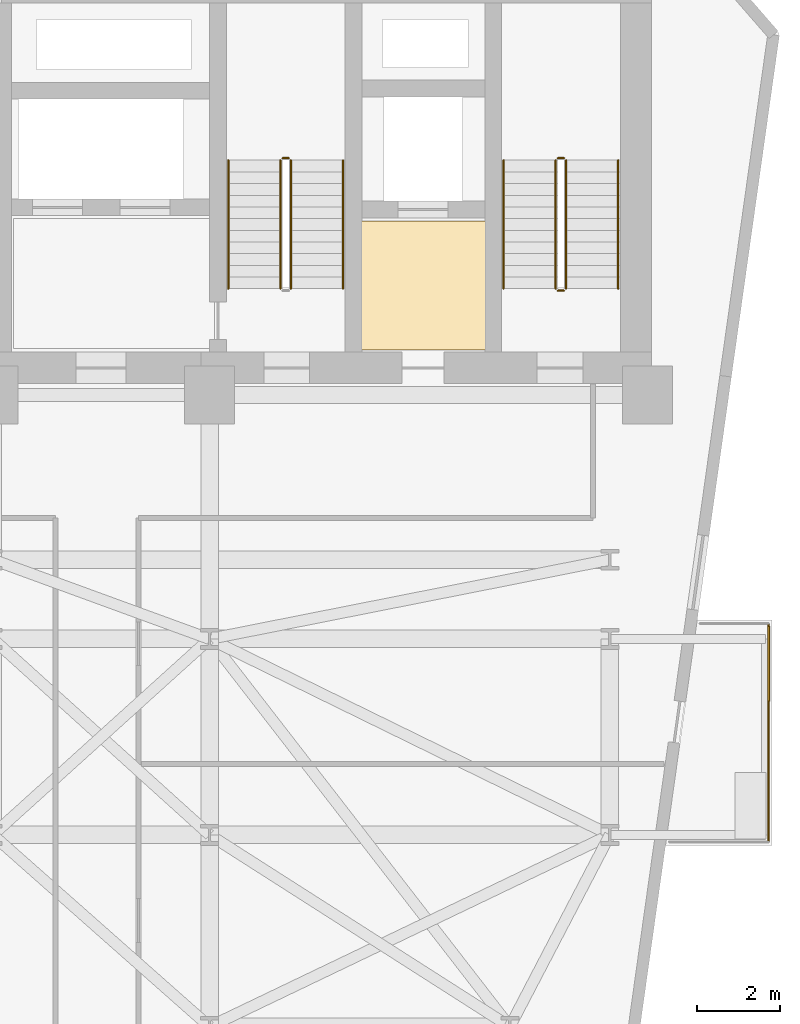
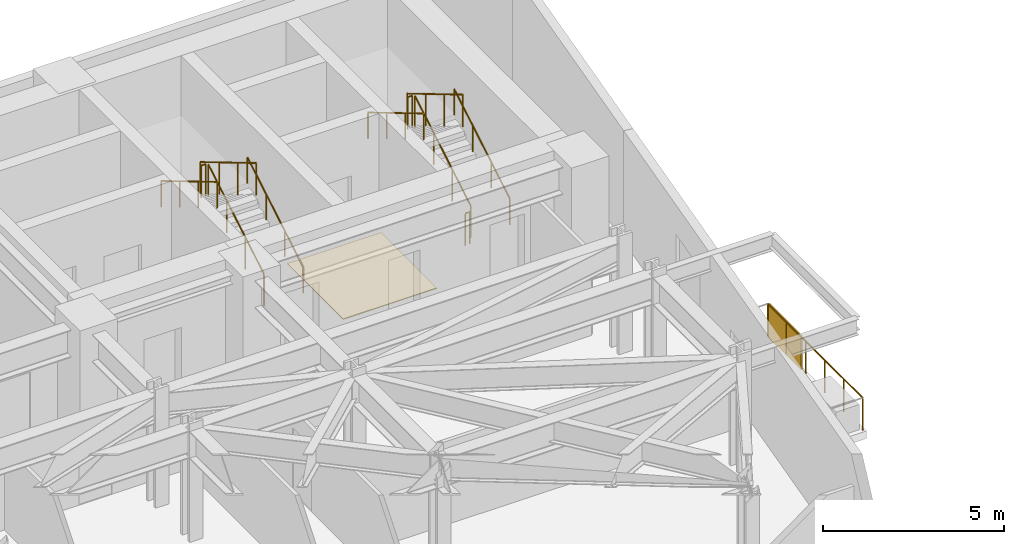
# One storey, part 24 of 24: 12 railings, 1 covering, 1 shading device.
"""IFC4 building model written with IfcOpenShell, lengths in metres."""

from ifc_helpers import new_model, si_unit, direction, frame, origin, origin_2d, place, context, subcontext, project, spatial, polyline, rectangle, circle, outline, extrude, material, layer, layer_set, type_object, element, save


model = new_model("IFC4")

# Units and contexts
model_context = context("Model", 3, precision=1e-05, world=origin(), true_north=direction((0.0, 1.0)))
body_context = subcontext(model_context, "Body", "Model", "MODEL_VIEW")
ifc_project = project(units=[si_unit("LENGTHUNIT", "METRE"), si_unit("AREAUNIT", "SQUARE_METRE"), si_unit("VOLUMEUNIT", "CUBIC_METRE"), si_unit("PLANEANGLEUNIT", "RADIAN"), si_unit("MASSUNIT", "GRAM", prefix="KILO")], contexts=[model_context])

# Site, building, storey
site_placement = place(None, origin())
site = spatial("IfcSite", under=ifc_project, at=site_placement, CompositionType="ELEMENT")
building_placement = place(site_placement, origin())
building = spatial("IfcBuilding", under=site, at=building_placement, Name="Kravanh Interchange Tower", CompositionType="ELEMENT")
storey_placement = place(building_placement, frame((0.0, 0.0, 69.5)))
storey = spatial("IfcBuildingStorey", under=building, at=storey_placement, Name="L16", CompositionType="ELEMENT", Elevation=69.5)

# Covering
ifc_material_1 = material(Name="Cementitious Terrazzo Tile")
ifc_layer_1 = layer(ifc_material_1, 0.030029296875)
ifc_layer_set_1 = layer_set([ifc_layer_1], Name="Honed Terrazzo Lobby Flooring 30mm")
covering_type = type_object("IfcCoveringType", Name="Honed Terrazzo Lobby Flooring 30mm", PredefinedType="FLOORING", material=ifc_layer_set_1)
covering_placement = place(storey_placement, origin())
element("IfcCovering", 1, at=covering_placement, inside=storey, type_object=covering_type, Name="L16 Service Lift Lobby Floor Finish", PredefinedType="FLOORING", context=body_context, shape_type="SweptSolid", body=[
    extrude(outline(polyline([(59.6298828125, 41.52001953125), (62.6201171875, 41.52001953125), (62.6201171875, 38.429931640625), (59.6298828125, 38.429931640625), (59.6298828125, 41.52001953125)])), origin(), (0.0, 0.0, 1.0), 0.030029296875),
])

# Shading device
ifc_material_2 = material(Name="Perforated Anodised Bronze Aluminium", Category="aluminium")
ifc_layer_2 = layer(ifc_material_2, 0.0400390625)
ifc_layer_set_2 = layer_set([ifc_layer_2], Name="Perforated Bronze Balcony Privacy Screen 1150mm")
shading_device_type = type_object("IfcShadingDeviceType", Name="Perforated Bronze Balcony Privacy Screen 1150mm", PredefinedType="USERDEFINED", material=ifc_layer_set_2)
shading_device_placement = place(storey_placement, frame((69.409912109375, 30.89990234375, 0.0), z_axis=(0.0, 0.0, 1.0), x_axis=(1.0, 0.0, 0.0)))
element("IfcShadingDevice", 2, at=shading_device_placement, inside=storey, type_object=shading_device_type, Name="L16 E Perforated Bronze BALCONY SCREEN", ObjectType="SCREEN", PredefinedType="USERDEFINED", context=body_context, shape_type="SweptSolid", body=[
    extrude(rectangle(XDim=0.0400390625, YDim=1.800048828125, at=origin_2d()), origin(), (0.0, 0.0, 1.0), 1.14990234375),
])

# Railings
ifc_material_3 = material(Name="Stainless Steel 316", Category="steel")
ifc_layer_3 = layer(ifc_material_3, 0.06005859375)
ifc_layer_set_3 = layer_set([ifc_layer_3], Name="Perimeter Balcony and Terrace Guardrail Stainless 316 1120mm")
railing_type_1 = type_object("IfcRailingType", Name="Perimeter Balcony and Terrace Guardrail Stainless 316 1120mm", PredefinedType="GUARDRAIL", material=ifc_layer_set_3)
railing_1_placement = place(storey_placement, frame((69.409912109375, 31.8701171875, 0.0)))
element("IfcRailing", 3, at=railing_1_placement, inside=storey, type_object=railing_type_1, Name="L16 E Balcony Guardrail 1", PredefinedType="GUARDRAIL", context=body_context, shape_type="SweptSolid", body=[
    extrude(circle(Radius=0.02392578125, at=origin_2d()), frame((0.0, 0.0, 1.09619140625), z_axis=(0.0, -1.0, 0.0), x_axis=(1.0, 0.0, 0.0)), (0.0, 0.0, 1.0), 5.240234375),
    extrude(circle(Radius=0.02099609375, at=origin_2d()), origin(), (0.0, 0.0, 1.0), 1.072021484375),
    extrude(circle(Radius=0.02099609375, at=origin_2d()), frame((0.0, -1.048095703125, 0.0)), (0.0, 0.0, 1.0), 1.072021484375),
    extrude(circle(Radius=0.02099609375, at=origin_2d()), frame((0.0, -2.09619140625, 0.0)), (0.0, 0.0, 1.0), 1.072021484375),
    extrude(circle(Radius=0.02099609375, at=origin_2d()), frame((0.0, -3.14404296875, 0.0)), (0.0, 0.0, 1.0), 1.072021484375),
    extrude(circle(Radius=0.02099609375, at=origin_2d()), frame((0.0, -4.192138671875, 0.0)), (0.0, 0.0, 1.0), 1.072021484375),
    extrude(circle(Radius=0.02099609375, at=origin_2d()), frame((0.0, -5.240234375, 0.0)), (0.0, 0.0, 1.0), 1.072021484375),
])
ifc_material_4 = material(Name="Structural Steel S355", Category="steel")
ifc_layer_4 = layer(ifc_material_4, 0.050048828125)
ifc_layer_set_4 = layer_set([ifc_layer_4], Name="Stair Well Guardrail Structural Steel S355 1100mm")
railing_type_2 = type_object("IfcRailingType", Name="Stair Well Guardrail Structural Steel S355 1100mm", PredefinedType="GUARDRAIL", material=ifc_layer_set_4)
railing_2_placement = place(storey_placement, frame((64.550048828125, 39.89990234375, 0.166748046875)))
element("IfcRailing", 4, at=railing_2_placement, inside=storey, type_object=railing_type_2, Name="L16 ST1 stair guard 1", PredefinedType="GUARDRAIL", context=body_context, shape_type="SweptSolid", body=[
    extrude(circle(Radius=0.02392578125, at=origin_2d()), frame((0.0, 0.0, 1.076171875), z_axis=(0.0, 0.859308565015, 0.511457515432), x_axis=(-1.0, 0.0, 0.0)), (0.0, 0.0, 1.0), 3.58447265625),
    extrude(circle(Radius=0.02099609375, at=origin_2d()), origin(), (0.0, 0.0, 1.0), 1.052001953125),
    extrude(circle(Radius=0.02099609375, at=origin_2d()), frame((0.0, 1.026611328125, 0.611083984375)), (0.0, 0.0, 1.0), 1.052001953125),
    extrude(circle(Radius=0.02099609375, at=origin_2d()), frame((0.0, 2.053466796875, 1.22216796875)), (0.0, 0.0, 1.0), 1.052001953125),
    extrude(circle(Radius=0.02099609375, at=origin_2d()), frame((0.0, 3.080078125, 1.833251953125)), (0.0, 0.0, 1.0), 1.052001953125),
])
railing_3_placement = place(storey_placement, frame((64.5, 43.030029296875, 2.0)))
element("IfcRailing", 5, at=railing_3_placement, inside=storey, type_object=railing_type_2, Name="L16 ST1 stair guard 2", PredefinedType="GUARDRAIL", context=body_context, shape_type="SweptSolid", body=[
    extrude(circle(Radius=0.02392578125, at=origin_2d()), frame((0.0, 0.0, 1.076171875), z_axis=(-1.0, 0.0, 0.0), x_axis=(0.0, -1.0, 0.0)), (0.0, 0.0, 1.0), 0.14990234375),
    extrude(circle(Radius=0.02099609375, at=origin_2d()), origin(), (0.0, 0.0, 1.0), 1.052001953125),
    extrude(circle(Radius=0.02099609375, at=origin_2d()), frame((-0.14990234375, 0.0, 0.0)), (0.0, 0.0, 1.0), 1.052001953125),
])
railing_4_placement = place(storey_placement, frame((64.300048828125, 42.97998046875, 2.166748046875)))
element("IfcRailing", 6, at=railing_4_placement, inside=storey, type_object=railing_type_2, Name="L16 ST1 stair guard 3", PredefinedType="GUARDRAIL", context=body_context, shape_type="SweptSolid", body=[
    extrude(circle(Radius=0.02392578125, at=origin_2d()), frame((0.0, 0.0, 1.076171875), z_axis=(0.0, -0.859308565015, 0.511457515432), x_axis=(1.0, 0.0, 0.0)), (0.0, 0.0, 1.0), 3.58447265625),
    extrude(circle(Radius=0.02099609375, at=origin_2d()), origin(), (0.0, 0.0, 1.0), 1.052001953125),
    extrude(circle(Radius=0.02099609375, at=origin_2d()), frame((0.0, -1.026611328125, 0.611083984375)), (0.0, 0.0, 1.0), 1.052001953125),
    extrude(circle(Radius=0.02099609375, at=origin_2d()), frame((0.0, -2.053466796875, 1.22216796875)), (0.0, 0.0, 1.0), 1.052001953125),
    extrude(circle(Radius=0.02099609375, at=origin_2d()), frame((0.0, -3.080078125, 1.833251953125)), (0.0, 0.0, 1.0), 1.052001953125),
])
railing_5_placement = place(storey_placement, frame((64.5, 39.85009765625, 0.0)))
element("IfcRailing", 7, at=railing_5_placement, inside=storey, type_object=railing_type_2, Name="L16 ST1 stair guard 4", PredefinedType="GUARDRAIL", context=body_context, shape_type="SweptSolid", body=[
    extrude(circle(Radius=0.02392578125, at=origin_2d()), frame((0.0, 0.0, 1.076171875), z_axis=(-1.0, 0.0, 0.0), x_axis=(0.0, -1.0, 0.0)), (0.0, 0.0, 1.0), 0.14990234375),
    extrude(circle(Radius=0.02099609375, at=origin_2d()), origin(), (0.0, 0.0, 1.0), 1.052001953125),
    extrude(circle(Radius=0.02099609375, at=origin_2d()), frame((-0.14990234375, 0.0, 0.0)), (0.0, 0.0, 1.0), 1.052001953125),
])
railing_6_placement = place(storey_placement, frame((57.949951171875, 39.89990234375, 0.166748046875)))
element("IfcRailing", 8, at=railing_6_placement, inside=storey, type_object=railing_type_2, Name="L16 ST2 stair guard 1", PredefinedType="GUARDRAIL", context=body_context, shape_type="SweptSolid", body=[
    extrude(circle(Radius=0.02392578125, at=origin_2d()), frame((0.0, 0.0, 1.076171875), z_axis=(0.0, 0.859308565015, 0.511457515432), x_axis=(-1.0, 0.0, 0.0)), (0.0, 0.0, 1.0), 3.58447265625),
    extrude(circle(Radius=0.02099609375, at=origin_2d()), origin(), (0.0, 0.0, 1.0), 1.052001953125),
    extrude(circle(Radius=0.02099609375, at=origin_2d()), frame((0.0, 1.026611328125, 0.611083984375)), (0.0, 0.0, 1.0), 1.052001953125),
    extrude(circle(Radius=0.02099609375, at=origin_2d()), frame((0.0, 2.053466796875, 1.22216796875)), (0.0, 0.0, 1.0), 1.052001953125),
    extrude(circle(Radius=0.02099609375, at=origin_2d()), frame((0.0, 3.080078125, 1.833251953125)), (0.0, 0.0, 1.0), 1.052001953125),
])
railing_7_placement = place(storey_placement, frame((57.89990234375, 43.030029296875, 2.0)))
element("IfcRailing", 9, at=railing_7_placement, inside=storey, type_object=railing_type_2, Name="L16 ST2 stair guard 2", PredefinedType="GUARDRAIL", context=body_context, shape_type="SweptSolid", body=[
    extrude(circle(Radius=0.02392578125, at=origin_2d()), frame((0.0, 0.0, 1.076171875), z_axis=(-1.0, 0.0, 0.0), x_axis=(0.0, -1.0, 0.0)), (0.0, 0.0, 1.0), 0.14990234375),
    extrude(circle(Radius=0.02099609375, at=origin_2d()), origin(), (0.0, 0.0, 1.0), 1.052001953125),
    extrude(circle(Radius=0.02099609375, at=origin_2d()), frame((-0.14990234375, 0.0, 0.0)), (0.0, 0.0, 1.0), 1.052001953125),
])
railing_8_placement = place(storey_placement, frame((57.699951171875, 42.97998046875, 2.166748046875)))
element("IfcRailing", 10, at=railing_8_placement, inside=storey, type_object=railing_type_2, Name="L16 ST2 stair guard 3", PredefinedType="GUARDRAIL", context=body_context, shape_type="SweptSolid", body=[
    extrude(circle(Radius=0.02392578125, at=origin_2d()), frame((0.0, 0.0, 1.076171875), z_axis=(0.0, -0.859308565015, 0.511457515432), x_axis=(1.0, 0.0, 0.0)), (0.0, 0.0, 1.0), 3.58447265625),
    extrude(circle(Radius=0.02099609375, at=origin_2d()), origin(), (0.0, 0.0, 1.0), 1.052001953125),
    extrude(circle(Radius=0.02099609375, at=origin_2d()), frame((0.0, -1.026611328125, 0.611083984375)), (0.0, 0.0, 1.0), 1.052001953125),
    extrude(circle(Radius=0.02099609375, at=origin_2d()), frame((0.0, -2.053466796875, 1.22216796875)), (0.0, 0.0, 1.0), 1.052001953125),
    extrude(circle(Radius=0.02099609375, at=origin_2d()), frame((0.0, -3.080078125, 1.833251953125)), (0.0, 0.0, 1.0), 1.052001953125),
])
ifc_material_5 = material(Name="Stainless Steel 304", Category="steel")
ifc_layer_5 = layer(ifc_material_5, 0.044921875)
ifc_layer_set_5 = layer_set([ifc_layer_5], Name="Tubular Stair Handrail Stainless 304 900mm")
railing_type_3 = type_object("IfcRailingType", Name="Tubular Stair Handrail Stainless 304 900mm", PredefinedType="HANDRAIL", material=ifc_layer_set_5)
railing_9_placement = place(storey_placement, frame((65.800048828125, 39.89990234375, 0.166748046875)))
element("IfcRailing", 11, at=railing_9_placement, inside=storey, type_object=railing_type_3, Name="L16 ST1 stair handrail 1", PredefinedType="HANDRAIL", context=body_context, shape_type="SweptSolid", body=[
    extrude(circle(Radius=0.02392578125, at=origin_2d()), frame((0.0, 0.0, 0.8759765625), z_axis=(0.0, 0.859308565015, 0.511457515432), x_axis=(-1.0, 0.0, 0.0)), (0.0, 0.0, 1.0), 3.58447265625),
    extrude(circle(Radius=0.02099609375, at=origin_2d()), origin(), (0.0, 0.0, 1.0), 0.851806640625),
    extrude(circle(Radius=0.02099609375, at=origin_2d()), frame((0.0, 1.026611328125, 0.611083984375)), (0.0, 0.0, 1.0), 0.851806640625),
    extrude(circle(Radius=0.02099609375, at=origin_2d()), frame((0.0, 2.053466796875, 1.22216796875)), (0.0, 0.0, 1.0), 0.851806640625),
    extrude(circle(Radius=0.02099609375, at=origin_2d()), frame((0.0, 3.080078125, 1.833251953125)), (0.0, 0.0, 1.0), 0.851806640625),
])
railing_10_placement = place(storey_placement, frame((63.050048828125, 42.97998046875, 2.166748046875)))
element("IfcRailing", 12, at=railing_10_placement, inside=storey, type_object=railing_type_3, Name="L16 ST1 stair handrail 2", PredefinedType="HANDRAIL", context=body_context, shape_type="SweptSolid", body=[
    extrude(circle(Radius=0.02392578125, at=origin_2d()), frame((0.0, 0.0, 0.8759765625), z_axis=(0.0, -0.859308565015, 0.511457515432), x_axis=(1.0, 0.0, 0.0)), (0.0, 0.0, 1.0), 3.58447265625),
    extrude(circle(Radius=0.02099609375, at=origin_2d()), origin(), (0.0, 0.0, 1.0), 0.851806640625),
    extrude(circle(Radius=0.02099609375, at=origin_2d()), frame((0.0, -1.026611328125, 0.611083984375)), (0.0, 0.0, 1.0), 0.851806640625),
    extrude(circle(Radius=0.02099609375, at=origin_2d()), frame((0.0, -2.053466796875, 1.22216796875)), (0.0, 0.0, 1.0), 0.851806640625),
    extrude(circle(Radius=0.02099609375, at=origin_2d()), frame((0.0, -3.080078125, 1.833251953125)), (0.0, 0.0, 1.0), 0.851806640625),
])
railing_11_placement = place(storey_placement, frame((59.199951171875, 39.89990234375, 0.166748046875)))
element("IfcRailing", 13, at=railing_11_placement, inside=storey, type_object=railing_type_3, Name="L16 ST2 stair handrail 1", PredefinedType="HANDRAIL", context=body_context, shape_type="SweptSolid", body=[
    extrude(circle(Radius=0.02392578125, at=origin_2d()), frame((0.0, 0.0, 0.8759765625), z_axis=(0.0, 0.859308565015, 0.511457515432), x_axis=(-1.0, 0.0, 0.0)), (0.0, 0.0, 1.0), 3.58447265625),
    extrude(circle(Radius=0.02099609375, at=origin_2d()), origin(), (0.0, 0.0, 1.0), 0.851806640625),
    extrude(circle(Radius=0.02099609375, at=origin_2d()), frame((0.0, 1.026611328125, 0.611083984375)), (0.0, 0.0, 1.0), 0.851806640625),
    extrude(circle(Radius=0.02099609375, at=origin_2d()), frame((0.0, 2.053466796875, 1.22216796875)), (0.0, 0.0, 1.0), 0.851806640625),
    extrude(circle(Radius=0.02099609375, at=origin_2d()), frame((0.0, 3.080078125, 1.833251953125)), (0.0, 0.0, 1.0), 0.851806640625),
])
railing_12_placement = place(storey_placement, frame((56.449951171875, 42.97998046875, 2.166748046875)))
element("IfcRailing", 14, at=railing_12_placement, inside=storey, type_object=railing_type_3, Name="L16 ST2 stair handrail 2", PredefinedType="HANDRAIL", context=body_context, shape_type="SweptSolid", body=[
    extrude(circle(Radius=0.02392578125, at=origin_2d()), frame((0.0, 0.0, 0.8759765625), z_axis=(0.0, -0.859308565015, 0.511457515432), x_axis=(1.0, 0.0, 0.0)), (0.0, 0.0, 1.0), 3.58447265625),
    extrude(circle(Radius=0.02099609375, at=origin_2d()), origin(), (0.0, 0.0, 1.0), 0.851806640625),
    extrude(circle(Radius=0.02099609375, at=origin_2d()), frame((0.0, -1.026611328125, 0.611083984375)), (0.0, 0.0, 1.0), 0.851806640625),
    extrude(circle(Radius=0.02099609375, at=origin_2d()), frame((0.0, -2.053466796875, 1.22216796875)), (0.0, 0.0, 1.0), 0.851806640625),
    extrude(circle(Radius=0.02099609375, at=origin_2d()), frame((0.0, -3.080078125, 1.833251953125)), (0.0, 0.0, 1.0), 0.851806640625),
])

save(model, "model.ifc")
